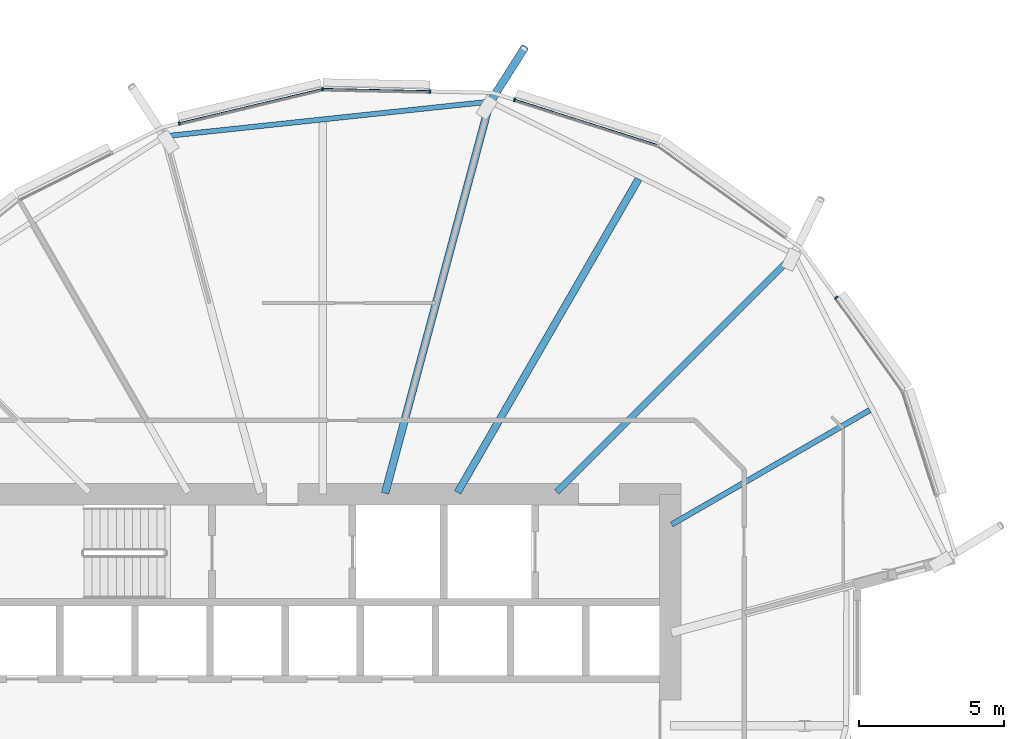
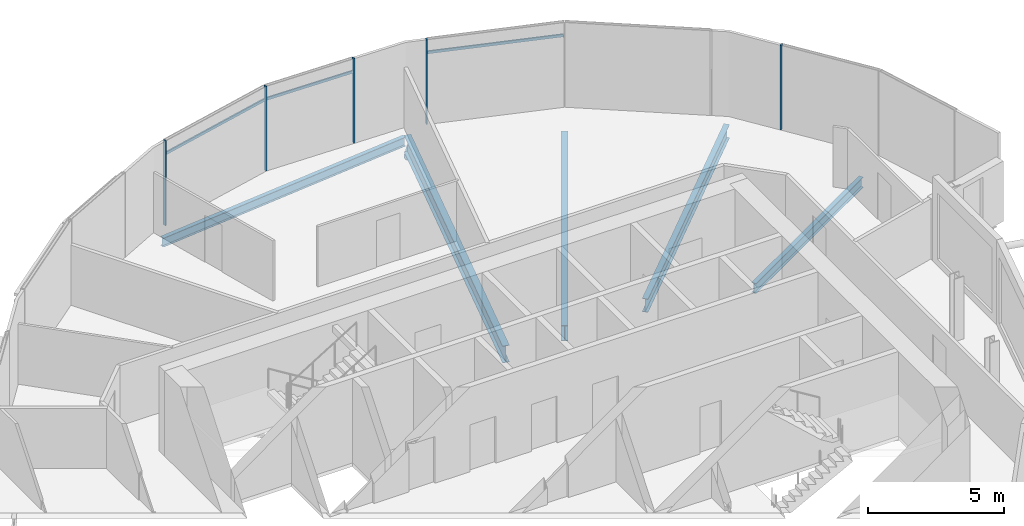
# One storey, part 18 of 38: 9 members, 5 beams, 1 element without a shape of its own.
"""IFC4 building model written with IfcOpenShell, lengths in metres."""

import ifcopenshell
import ifcopenshell.guid

model = None  # the IFC model being written
_history = None  # IfcOwnerHistory: only IFC2X3 demands one
_inside = {}  # id of a spatial element -> (the spatial element, [elements in it])
_under = {}  # id of a project, library or spatial element -> (it, [spatial elements below it])
_declared = {}  # id of a project -> (the project, [libraries it declares])
_typed = {}  # id of a type object -> (the type object, [elements of that type])
_made_of = {}  # id of a material, layer set ... -> (it, [elements and type objects made of it])


def new_model(schema):
    """Start an empty IFC model of exactly this schema.

    Asked for "IFC4X3", IfcOpenShell would pick the latest addendum, in which some entities
    have other attributes; the version numbers below select the first issue.
    IFC2X3 requires an IfcOwnerHistory on every rooted entity: one is made here for all.
    """
    global model, _history
    if schema == "IFC4X3":
        model = ifcopenshell.file(schema_version=(4, 3, 0, 0))
    else:
        model = ifcopenshell.file(schema=schema)
    _inside.clear()
    _under.clear()
    _declared.clear()
    _typed.clear()
    _made_of.clear()
    _history = None
    if model.schema == "IFC2X3":
        org = make("IfcOrganization", Name="unknown")
        user = make(
            "IfcPersonAndOrganization",
            ThePerson=make("IfcPerson", FamilyName="unknown"),
            TheOrganization=org,
        )
        app = make(
            "IfcApplication",
            ApplicationDeveloper=org,
            Version="unknown",
            ApplicationFullName="unknown",
            ApplicationIdentifier="unknown",
        )
        _history = make(
            "IfcOwnerHistory",
            OwningUser=user,
            OwningApplication=app,
            ChangeAction="ADDED",
            CreationDate=0,
        )
    return model


def make(cls, **values):
    """One entity of the class cls with the attributes given. An attribute that is None is left unset."""
    return model.create_entity(
        cls, **{name: value for name, value in values.items() if value is not None}
    )


def rooted(cls, **values):
    """An entity with a GlobalId (a new one), such as an element, a storey or a relation."""
    return make(cls, GlobalId=ifcopenshell.guid.new(), OwnerHistory=_history, **values)


def si_unit(unit_type, name, prefix=None):
    """IfcSIUnit, for example si_unit("LENGTHUNIT", "METRE", prefix="MILLI")."""
    return make("IfcSIUnit", UnitType=unit_type, Prefix=prefix, Name=name)


def assignment(units):
    """IfcUnitAssignment: the units of a project."""
    return None if units is None else make("IfcUnitAssignment", Units=units)


def point(xyz):
    """IfcCartesianPoint."""
    return None if xyz is None else make("IfcCartesianPoint", Coordinates=xyz)


def direction(xyz):
    """IfcDirection."""
    return None if xyz is None else make("IfcDirection", DirectionRatios=xyz)


def frame(location, z_axis=None, x_axis=None):
    """IfcAxis2Placement3D, a coordinate frame: its origin and axes. An axis left out is left unset."""
    return make(
        "IfcAxis2Placement3D",
        Location=point(location),
        Axis=direction(z_axis),
        RefDirection=direction(x_axis),
    )


def frame_2d(location, x_axis=None):
    """IfcAxis2Placement2D, a coordinate frame in the plane: its origin and x axis."""
    return make(
        "IfcAxis2Placement2D", Location=point(location), RefDirection=direction(x_axis)
    )


def origin():
    """The frame at (0, 0, 0) with its axes left unset."""
    return frame((0.0, 0.0, 0.0))


def origin_2d():
    """The frame at (0, 0) in the plane with its x axis left unset."""
    return frame_2d((0.0, 0.0))


def place(relative_to, where):
    """IfcLocalPlacement: puts the frame where relative to a parent placement (None: the world)."""
    return make(
        "IfcLocalPlacement", PlacementRelTo=relative_to, RelativePlacement=where
    )


def context(
    kind, dimensions, precision=None, world=None, true_north=None, identifier=None
):
    """IfcGeometricRepresentationContext, for example the 3D "Model" context."""
    return make(
        "IfcGeometricRepresentationContext",
        ContextIdentifier=identifier,
        ContextType=kind,
        CoordinateSpaceDimension=dimensions,
        Precision=precision,
        WorldCoordinateSystem=world,
        TrueNorth=true_north,
    )


def subcontext(parent, identifier, kind, view, scale=None):
    """IfcGeometricRepresentationSubContext, for example "Body" below "Model"."""
    return make(
        "IfcGeometricRepresentationSubContext",
        ContextIdentifier=identifier,
        ContextType=kind,
        ParentContext=parent,
        TargetScale=scale,
        TargetView=view,
    )


def project(units=None, contexts=None):
    """IfcProject with its units and contexts."""
    return rooted(
        "IfcProject",
        Name="project",
        RepresentationContexts=contexts,
        UnitsInContext=assignment(units),
    )


def spatial(cls, under=None, at=None, **own):
    """A site, building, storey or space (cls), placed at a placement, below another one or the project."""
    s = rooted(cls, ObjectPlacement=at, **own)
    if under is not None:
        _under.setdefault(under.id(), (under, []))[1].append(s)
    return s


def profile(cls, at=None, kind="AREA", **sizes):
    """A parametric profile (cls). Its sizes go by their IFC names, for example OverallWidth=200.0."""
    return make(cls, ProfileType=kind, Position=at, **sizes)


def rectangle(**sizes):
    """IfcRectangleProfileDef."""
    return profile("IfcRectangleProfileDef", **sizes)


def hollow_circle(**sizes):
    """IfcCircleHollowProfileDef."""
    return profile("IfcCircleHollowProfileDef", **sizes)


def i_section(**sizes):
    """IfcIShapeProfileDef."""
    return profile("IfcIShapeProfileDef", **sizes)


def extrude(swept, where, along, depth):
    """IfcExtrudedAreaSolid: the profile swept, set in the frame where, extruded along a direction by depth."""
    return make(
        "IfcExtrudedAreaSolid",
        SweptArea=swept,
        Position=where,
        ExtrudedDirection=direction(along),
        Depth=depth,
    )


def clip(a, b, op="DIFFERENCE"):
    """IfcBooleanClippingResult: the solid a cut by the half space b."""
    return make(
        "IfcBooleanClippingResult", Operator=op, FirstOperand=a, SecondOperand=b
    )


def halfspace(plane, agree):
    """IfcHalfSpaceSolid: all space on one side of the plane z = 0 of the frame plane."""
    return make(
        "IfcHalfSpaceSolid",
        BaseSurface=make("IfcPlane", Position=plane),
        AgreementFlag=agree,
    )


def shape(context_of_items, identifier, shape_type, items):
    """IfcShapeRepresentation: the items that make up one representation, for example the "Body"."""
    return make(
        "IfcShapeRepresentation",
        ContextOfItems=context_of_items,
        RepresentationIdentifier=identifier,
        RepresentationType=shape_type,
        Items=items,
    )


def material(Name=None, Category=None):
    """IfcMaterial."""
    return make("IfcMaterial", Name=Name, Category=Category)


def material_profile(
    of_material, cross_section, Name=None, Category=None, Priority=None
):
    """IfcMaterialProfile: a cross section and its material."""
    return make(
        "IfcMaterialProfile",
        Name=Name,
        Material=of_material,
        Profile=cross_section,
        Priority=Priority,
        Category=Category,
    )


def profile_set(profiles, Name=None, composite=None):
    """IfcMaterialProfileSet."""
    return make(
        "IfcMaterialProfileSet",
        Name=Name,
        MaterialProfiles=profiles,
        CompositeProfile=composite,
    )


def made_of(thing, what):
    """Note that an element or type object is made of a material, layer set ...; save() writes the relation."""
    if what is not None:
        _made_of.setdefault(what.id(), (what, []))[1].append(thing)
    return thing


def type_object(cls, material=None, **own):
    """A type object (cls), such as IfcWallType, which elements share."""
    return made_of(rooted(cls, **own), material)


def element(
    cls,
    number,
    at=None,
    inside=None,
    cuts=None,
    type_object=None,
    material=None,
    context=None,
    identifier="Body",
    shape_type=None,
    held_by="IfcProductDefinitionShape",
    body=None,
    shapes=None,
    **own,
):
    """One element of the class cls, such as IfcWall. Its Tag is "e" and its number.

    at: its placement. inside: the storey or other place that contains it. cuts: it is an
    opening in that element (IfcRelVoidsElement). A single representation is given by context,
    identifier, shape_type and body (its items); several are given by shapes. held_by: the class
    of the entity that holds the representations. save() writes the other relations.
    """
    e = rooted(cls, Tag="e%d" % number, ObjectPlacement=at, **own)
    if body is not None:
        shapes = [shape(context, identifier, shape_type, body)]
    if shapes is not None:
        e.Representation = make(held_by, Representations=shapes)
    if inside is not None:
        _inside.setdefault(inside.id(), (inside, []))[1].append(e)
    if cuts is not None:
        rooted(
            "IfcRelVoidsElement", RelatingBuildingElement=cuts, RelatedOpeningElement=e
        )
    if type_object is not None:
        _typed.setdefault(type_object.id(), (type_object, []))[1].append(e)
    return made_of(e, material)


def aggregate(whole, parts):
    """IfcRelAggregates: a whole, such as a stair, and the parts it consists of."""
    return rooted("IfcRelAggregates", RelatingObject=whole, RelatedObjects=parts)


def save(model, path):
    """Write the relations noted so far, then the file.

    IfcRelAggregates (storeys below a building ...), IfcRelContainedInSpatialStructure (elements
    in a storey), IfcRelDefinesByType, IfcRelAssociatesMaterial and IfcRelDeclares: one each for
    every whole, place, type object, material and project.
    """
    for whole, parts in _under.values():
        aggregate(whole, parts)
    for where, things in _inside.values():
        rooted(
            "IfcRelContainedInSpatialStructure",
            RelatedElements=things,
            RelatingStructure=where,
        )
    for kind, things in _typed.values():
        rooted("IfcRelDefinesByType", RelatedObjects=things, RelatingType=kind)
    for what, things in _made_of.values():
        rooted("IfcRelAssociatesMaterial", RelatedObjects=things, RelatingMaterial=what)
    for by, libraries in _declared.values():
        rooted("IfcRelDeclares", RelatingContext=by, RelatedDefinitions=libraries)
    model.write(path)


model = new_model("IFC4")

# Units and contexts
model_context = context("Model", 3, precision=1e-05, world=origin(), true_north=direction((0.0, 1.0)))
body_context = subcontext(model_context, "Body", "Model", "MODEL_VIEW")
ifc_project = project(units=[si_unit("LENGTHUNIT", "METRE"), si_unit("AREAUNIT", "SQUARE_METRE"), si_unit("VOLUMEUNIT", "CUBIC_METRE"), si_unit("PLANEANGLEUNIT", "RADIAN"), si_unit("MASSUNIT", "GRAM", prefix="KILO")], contexts=[model_context])

# Site, building, storey
site_placement = place(None, origin())
site = spatial("IfcSite", under=ifc_project, at=site_placement, CompositionType="ELEMENT")
building_placement = place(site_placement, origin())
building = spatial("IfcBuilding", under=site, at=building_placement, Name="Rimbun Link Towers", CompositionType="ELEMENT")
storey_placement = place(building_placement, frame((0.0, 0.0, 108.199951171875)))
storey = spatial("IfcBuildingStorey", under=building, at=storey_placement, Name="L26", CompositionType="ELEMENT", Elevation=108.199951171875)

# Curtain wall, members
ifc_material_1 = material(Name="Aluminium 6063-T6 and low-iron glass", Category="aluminium")
curtain_wall_type = type_object("IfcCurtainWallType", Name="CW1-Z2 unitised vision wall (zone 2)", PredefinedType="NOTDEFINED", material=ifc_material_1)
curtain_wall_placement = place(storey_placement, origin())
curtain_wall = element("IfcCurtainWall", 1, at=curtain_wall_placement, inside=storey, type_object=curtain_wall_type, Name="CW1 L26 T2", PredefinedType="NOTDEFINED")
ifc_material_2 = material(Name="Aluminium 6063-T6", Category="aluminium")
ifc_material_profile_1 = material_profile(ifc_material_2, rectangle(XDim=0.1201171875, YDim=0.06005859375, at=origin_2d()), Name="MULLION 60X120")
ifc_profile_set_1 = profile_set([ifc_material_profile_1], Name="Aluminium 6063-T6")
member_type_1 = type_object("IfcMemberType", Name="CW1 mullion 60X120", PredefinedType="MULLION", material=ifc_profile_set_1)
member_1_placement = place(storey_placement, frame((38.37353515625, 21.621337890625, 0.0), z_axis=(0.0, 0.0, 1.0), x_axis=(0.303057366512, 0.952972314709, 0.0)))
member_1 = element("IfcMember", 2, at=member_1_placement, type_object=member_type_1, Name="CW1 mullion", PredefinedType="MULLION", context=body_context, shape_type="SweptSolid", body=[
    extrude(rectangle(XDim=0.1201171875, YDim=0.06005859375, at=origin_2d()), origin(), (0.0, 0.0, 1.0), 3.800048828125),
])
member_2_placement = place(storey_placement, frame((31.74365234375, 21.9892578125, 0.0), z_axis=(0.0, 0.0, 1.0), x_axis=(-0.106632106355, 0.994298543645, 0.0)))
member_2 = element("IfcMember", 3, at=member_2_placement, type_object=member_type_1, Name="CW1 mullion", PredefinedType="MULLION", context=body_context, shape_type="SweptSolid", body=[
    extrude(rectangle(XDim=0.1201171875, YDim=0.06005859375, at=origin_2d()), origin(), (0.0, 0.0, 1.0), 3.800048828125),
])
member_3_placement = place(storey_placement, frame((35.44482421875, 21.911865234375, 0.0), z_axis=(0.0, 0.0, 1.0), x_axis=(0.021063270517, 0.999778144708, 0.0)))
member_3 = element("IfcMember", 4, at=member_3_placement, type_object=member_type_1, Name="CW1 mullion", PredefinedType="MULLION", context=body_context, shape_type="SweptSolid", body=[
    extrude(rectangle(XDim=0.1201171875, YDim=0.06005859375, at=origin_2d()), origin(), (0.0, 0.0, 1.0), 3.800048828125),
])
member_4_placement = place(storey_placement, frame((26.79736328125, 20.806884765625, 0.0), z_axis=(0.0, 0.0, 1.0), x_axis=(-0.232585526726, 0.972575947038, 0.0)))
member_4 = element("IfcMember", 5, at=member_4_placement, type_object=member_type_1, Name="CW1 mullion", PredefinedType="MULLION", context=body_context, shape_type="SweptSolid", body=[
    extrude(rectangle(XDim=0.1201171875, YDim=0.06005859375, at=origin_2d()), origin(), (0.0, 0.0, 1.0), 3.800048828125),
])
member_5_placement = place(storey_placement, frame((49.486328125, 14.7919921875, 0.0), z_axis=(0.0, 0.0, 1.0), x_axis=(0.812467340473, 0.583006707221, 0.0)))
member_5 = element("IfcMember", 6, at=member_5_placement, type_object=member_type_1, Name="CW1 mullion", PredefinedType="MULLION", context=body_context, shape_type="SweptSolid", body=[
    extrude(rectangle(XDim=0.1201171875, YDim=0.06005859375, at=origin_2d()), origin(), (0.0, 0.0, 1.0), 3.800048828125),
])
ifc_material_3 = material(Name="Aluminium 6063-T6", Category="aluminium")
ifc_material_profile_2 = material_profile(ifc_material_3, rectangle(XDim=0.06005859375, YDim=0.1201171875, at=origin_2d()), Name="TRANSOM 60X120")
ifc_profile_set_2 = profile_set([ifc_material_profile_2], Name="Aluminium 6063-T6")
member_type_2 = type_object("IfcMemberType", Name="CW1 transom 60X120", PredefinedType="USERDEFINED", material=ifc_profile_set_2)
member_6_placement = place(storey_placement, frame((38.401611328125, 21.6103515625, 3.199951171875), z_axis=(0.952968340457, -0.303069863377, 0.0), x_axis=(0.303069863377, 0.952968340457, 0.0)))
member_6 = element("IfcMember", 7, at=member_6_placement, type_object=member_type_2, Name="CW1 transom", ObjectType="TRANSOM", PredefinedType="USERDEFINED", context=body_context, shape_type="SweptSolid", body=[
    extrude(rectangle(XDim=0.06005859375, YDim=0.1201171875, at=origin_2d()), origin(), (0.0, 0.0, 1.0), 5.121826171875),
])
member_7_placement = place(storey_placement, frame((31.78125, 21.987060546875, 3.199951171875), z_axis=(0.999777513645, -0.021093202935, 0.0), x_axis=(0.021093202935, 0.999777513645, 0.0)))
member_7 = element("IfcMember", 8, at=member_7_placement, type_object=member_type_2, Name="CW1 transom", ObjectType="TRANSOM", PredefinedType="USERDEFINED", context=body_context, shape_type="SweptSolid", body=[
    extrude(rectangle(XDim=0.06005859375, YDim=0.1201171875, at=origin_2d()), origin(), (0.0, 0.0, 1.0), 3.63427734375),
])
member_8_placement = place(storey_placement, frame((26.8271484375, 20.81201171875, 3.199951171875), z_axis=(0.972578652399, 0.232574213741, 0.0), x_axis=(-0.232574213741, 0.972578652399, 0.0)))
member_8 = element("IfcMember", 9, at=member_8_placement, type_object=member_type_2, Name="CW1 transom", ObjectType="TRANSOM", PredefinedType="USERDEFINED", context=body_context, shape_type="SweptSolid", body=[
    extrude(rectangle(XDim=0.06005859375, YDim=0.1201171875, at=origin_2d()), origin(), (0.0, 0.0, 1.0), 5.017822265625),
])
aggregate(curtain_wall, [member_1, member_2, member_3, member_4, member_5, member_6, member_7, member_8])

# Member
ifc_material_4 = material(Name="Steel S355J2H", Category="steel")
ifc_material_profile_3 = material_profile(ifc_material_4, hollow_circle(Radius=0.136474609375, WallThickness=0.012451171875, at=origin_2d()), Name="CHS 273x12.5")
ifc_profile_set_3 = profile_set([ifc_material_profile_3], Name="Steel S355J2H")
member_type_3 = type_object("IfcMemberType", Name="Floor edge link CHS 273x12.5", PredefinedType="BRACE", material=ifc_profile_set_3)
member_9_placement = place(storey_placement, frame((37.513427734375, 21.509521484375, -1.042236328125), z_axis=(0.470752467397, 0.745096385632, -0.472465332652), x_axis=(-0.845404226907, 0.534127038379, 0.0)))
element("IfcMember", 10, at=member_9_placement, inside=storey, type_object=member_type_3, Name="Floor edge link T2 L26 02", PredefinedType="BRACE", context=body_context, shape_type="Clipping", body=[
    clip(extrude(hollow_circle(Radius=0.136474609375, WallThickness=0.012451171875, at=origin_2d()), frame((0.0, 0.0, -0.5302734375)), (0.0, 0.0, 1.0), 3.095947265625), halfspace(frame((0.0, 0.0, -0.25), z_axis=(0.0, 0.881349255087, -0.472465332652)), False)),
])

# Beams
ifc_material_5 = material(Name="Steel S355J2", Category="steel")
ifc_material_profile_4 = material_profile(ifc_material_5, i_section(OverallWidth=0.177978515625, OverallDepth=0.406494140625, WebThickness=0.0078125, FlangeThickness=0.0126953125, at=origin_2d()), Name="UB 406x178x60")
ifc_profile_set_4 = profile_set([ifc_material_profile_4], Name="Steel S355J2")
beam_type_1 = type_object("IfcBeamType", Name="UB 406x178x60", PredefinedType="BEAM", material=ifc_profile_set_4)
beam_1_placement = place(storey_placement, frame((37.38330078125, 21.54248046875, -0.363037109375), z_axis=(-0.994386731761, -0.105806557916, 0.0), x_axis=(0.105806557916, -0.994386731761, 0.0)))
element("IfcBeam", 11, at=beam_1_placement, inside=storey, type_object=beam_type_1, Name="Edge beam T2 L26 02-04", PredefinedType="BEAM", context=body_context, shape_type="SweptSolid", body=[
    extrude(i_section(OverallWidth=0.177978515625, OverallDepth=0.406494140625, WebThickness=0.0078125, FlangeThickness=0.0126953125, at=origin_2d()), origin(), (0.0, 0.0, 1.0), 11.0224609375),
])
ifc_material_6 = material(Name="Steel S355J2", Category="steel")
ifc_material_profile_5 = material_profile(ifc_material_6, i_section(OverallWidth=0.18994140625, OverallDepth=0.453369140625, WebThickness=0.008544921875, FlangeThickness=0.0126953125, at=origin_2d()), Name="UB 457x191x67")
ifc_profile_set_5 = profile_set([ifc_material_profile_5], Name="Steel S355J2")
beam_type_2 = type_object("IfcBeamType", Name="UB 457x191x67", PredefinedType="BEAM", material=ifc_profile_set_5)
beam_2_placement = place(storey_placement, frame((43.79833984375, 6.9560546875, -0.38671875), z_axis=(0.866022826155, 0.500004464558, 0.0), x_axis=(-0.500004464558, 0.866022826155, 0.0)))
element("IfcBeam", 12, at=beam_2_placement, inside=storey, type_object=beam_type_2, Name="Radial beam T2 L26 23", PredefinedType="BEAM", context=body_context, shape_type="SweptSolid", body=[
    extrude(i_section(OverallWidth=0.18994140625, OverallDepth=0.453369140625, WebThickness=0.008544921875, FlangeThickness=0.0126953125, at=origin_2d()), origin(), (0.0, 0.0, 1.0), 7.8935546875),
])
ifc_material_7 = material(Name="Steel S355J2", Category="steel")
ifc_material_profile_6 = material_profile(ifc_material_7, i_section(OverallWidth=0.2275390625, OverallDepth=0.6025390625, WebThickness=0.010498046875, FlangeThickness=0.014892578125, at=origin_2d()), Name="UB 610x229x101")
ifc_profile_set_6 = profile_set([ifc_material_profile_6], Name="Steel S355J2")
beam_type_3 = type_object("IfcBeamType", Name="UB 610x229x101", PredefinedType="BEAM", material=ifc_profile_set_6)
beam_3_placement = place(storey_placement, frame((39.831298828125, 8.081298828125, -0.461181640625), z_axis=(0.707106781187, 0.707106781187, 0.0), x_axis=(-0.707106781187, 0.707106781187, 0.0)))
element("IfcBeam", 13, at=beam_3_placement, inside=storey, type_object=beam_type_3, Name="Radial beam T2 L26 00", PredefinedType="BEAM", context=body_context, shape_type="SweptSolid", body=[
    extrude(i_section(OverallWidth=0.2275390625, OverallDepth=0.6025390625, WebThickness=0.010498046875, FlangeThickness=0.014892578125, at=origin_2d()), origin(), (0.0, 0.0, 1.0), 11.6005859375),
])
ifc_material_8 = material(Name="Steel S355J2", Category="steel")
ifc_material_profile_7 = material_profile(ifc_material_8, i_section(OverallWidth=0.253662109375, OverallDepth=0.68359375, WebThickness=0.012451171875, FlangeThickness=0.01904296875, at=origin_2d()), Name="UB 686x254x140")
ifc_profile_set_7 = profile_set([ifc_material_profile_7], Name="Steel S355J2")
beam_type_4 = type_object("IfcBeamType", Name="UB 686x254x140", PredefinedType="BEAM", material=ifc_profile_set_7)
beam_4_placement = place(storey_placement, frame((36.406005859375, 8.064208984375, -0.501708984375), z_axis=(0.499991403274, 0.86603036705, 0.0), x_axis=(-0.86603036705, 0.499991403274, 0.0)))
element("IfcBeam", 14, at=beam_4_placement, inside=storey, type_object=beam_type_4, Name="Radial beam T2 L26 01", PredefinedType="BEAM", context=body_context, shape_type="SweptSolid", body=[
    extrude(i_section(OverallWidth=0.253662109375, OverallDepth=0.68359375, WebThickness=0.012451171875, FlangeThickness=0.01904296875, at=origin_2d()), origin(), (0.0, 0.0, 1.0), 12.493896484375),
])
ifc_material_9 = material(Name="Steel S355J2", Category="steel")
ifc_material_profile_8 = material_profile(ifc_material_9, i_section(OverallWidth=0.2666015625, OverallDepth=0.76220703125, WebThickness=0.014404296875, FlangeThickness=0.021484375, at=origin_2d()), Name="UB 762x267x173")
ifc_profile_set_8 = profile_set([ifc_material_profile_8], Name="Steel S355J2")
beam_type_5 = type_object("IfcBeamType", Name="UB 762x267x173", PredefinedType="BEAM", material=ifc_profile_set_8)
beam_5_placement = place(storey_placement, frame((33.903076171875, 8.035400390625, -0.541015625), z_axis=(0.25881628113, 0.965926566889, 0.0), x_axis=(-0.965926566889, 0.25881628113, 0.0)))
element("IfcBeam", 15, at=beam_5_placement, inside=storey, type_object=beam_type_5, Name="Radial beam T2 L26 02", PredefinedType="BEAM", context=body_context, shape_type="SweptSolid", body=[
    extrude(i_section(OverallWidth=0.2666015625, OverallDepth=0.76220703125, WebThickness=0.014404296875, FlangeThickness=0.021484375, at=origin_2d()), origin(), (0.0, 0.0, 1.0), 13.99951171875),
])

save(model, "model.ifc")
